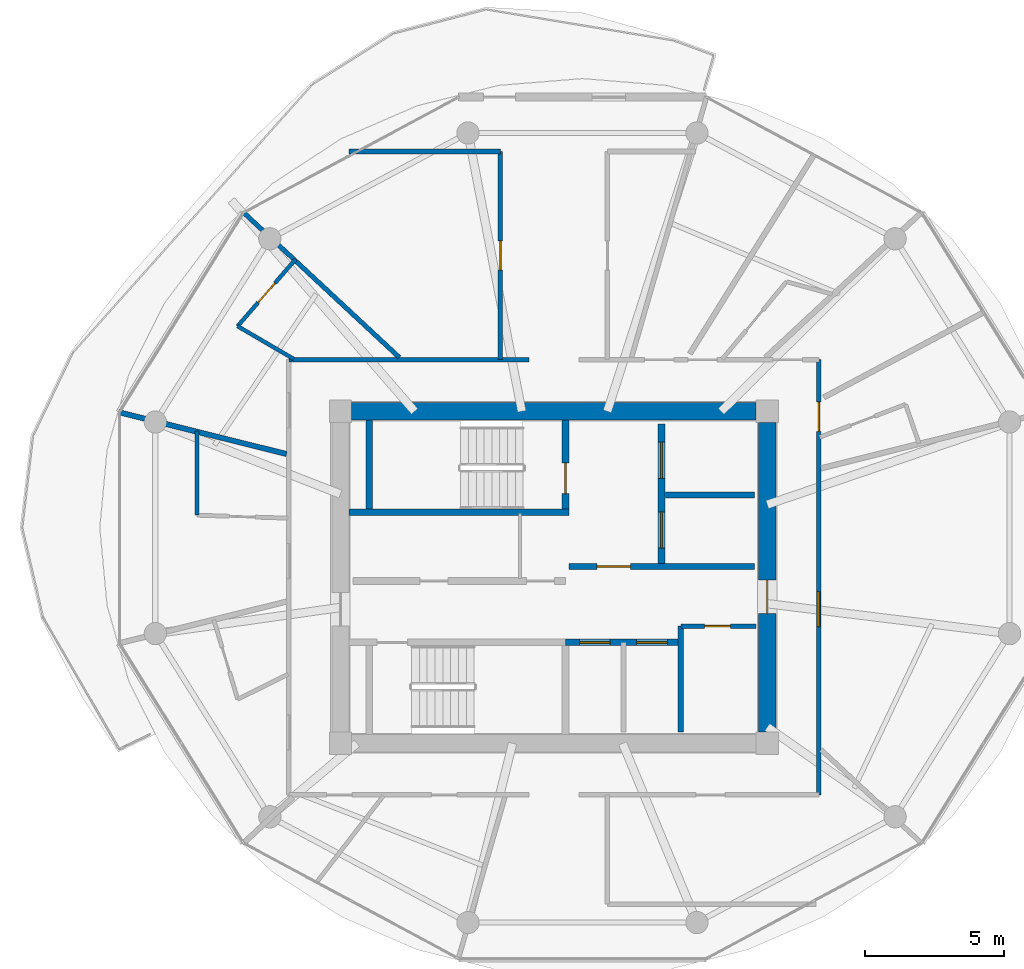
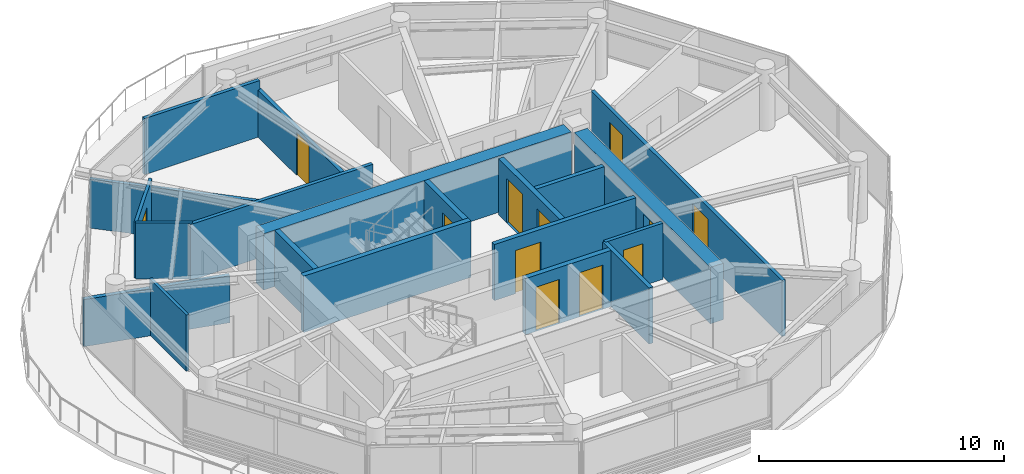
# One storey, part 14 of 24: 20 walls, 12 doors, 12 openings.
"""IFC4 building model written with IfcOpenShell, lengths in metres."""

from ifc_helpers import new_model, si_unit, direction, frame, frame_2d, origin, place, context, subcontext, project, spatial, rectangle, extrude, source, transform, mapped, material, layer, layer_set, type_object, type_shapes, element, fill, save


model = new_model("IFC4")

# Units and contexts
model_context = context("Model", 3, precision=1e-05, world=origin(), true_north=direction((0.0, 1.0)))
body_context = subcontext(model_context, "Body", "Model", "MODEL_VIEW")
ifc_project = project(units=[si_unit("LENGTHUNIT", "METRE"), si_unit("AREAUNIT", "SQUARE_METRE"), si_unit("VOLUMEUNIT", "CUBIC_METRE"), si_unit("PLANEANGLEUNIT", "RADIAN"), si_unit("MASSUNIT", "GRAM", prefix="KILO")], contexts=[model_context])

# Site, building, storey
site_placement = place(None, origin())
site = spatial("IfcSite", under=ifc_project, at=site_placement, CompositionType="ELEMENT")
building_placement = place(site_placement, origin())
building = spatial("IfcBuilding", under=site, at=building_placement, Name="Norrkilde Senior Care Towers", CompositionType="ELEMENT")
storey_placement = place(building_placement, frame((0.0, 0.0, 155.64990234375)))
storey = spatial("IfcBuildingStorey", under=building, at=storey_placement, Name="L48", CompositionType="ELEMENT", Elevation=155.64990234375)

# Wall
ifc_material_1 = material(Name="Concrete C50/60", Category="concrete")
ifc_layer_1 = layer(ifc_material_1, 0.6201171875)
ifc_layer_set_1 = layer_set([ifc_layer_1], Name="Concrete C50/60")
wall_type_1 = type_object("IfcWallType", Name="Core Shear Wall Z3 620", PredefinedType="SHEAR", material=ifc_layer_set_1)
shared_shape_1 = source(origin(), body_context, "Body", "SweptSolid", [
    extrude(rectangle(XDim=14.5, YDim=0.6201171875, at=frame_2d((7.25, 0.0))), origin(), (0.0, 0.0, 1.0), 2.81005859375),
])
wall_1_placement = place(storey_placement, frame((-35.25, 5.949951171875, 0.0), z_axis=(0.0, 0.0, 1.0), x_axis=(1.0, 0.0, 0.0)))
element("IfcWall", 1, at=wall_1_placement, inside=storey, type_object=wall_type_1, Name="L48 Core W North Shear Wall", PredefinedType="SHEAR", context=body_context, shape_type="MappedRepresentation", body=[
    mapped(shared_shape_1, transform((0.0, 0.0, 0.0), x_axis=(1.0, 0.0, 0.0), y_axis=(0.0, 1.0, 0.0), z_axis=(0.0, 0.0, 1.0), scale=1.0)),
])

# Wall, opening, door
shared_shape_2 = source(origin(), body_context, "Body", "SweptSolid", [
    extrude(rectangle(XDim=11.10009765625, YDim=0.6201171875, at=frame_2d((5.550048828125, 0.0))), origin(), (0.0, 0.0, 1.0), 2.81005859375),
])
type_shapes(wall_type_1, [shared_shape_1, shared_shape_2])
wall_2_placement = place(storey_placement, frame((-20.35009765625, 5.550048828125, 0.0), z_axis=(0.0, 0.0, 1.0), x_axis=(0.0, -1.0, 0.0)))
wall_2 = element("IfcWall", 2, at=wall_2_placement, inside=storey, type_object=wall_type_1, Name="L48 Core W East Shear Wall", PredefinedType="SHEAR", context=body_context, shape_type="MappedRepresentation", body=[
    mapped(shared_shape_2, transform((0.0, 0.0, 0.0), x_axis=(1.0, 0.0, 0.0), y_axis=(0.0, 1.0, 0.0), z_axis=(0.0, 0.0, 1.0), scale=1.0)),
])
opening_1_placement = place(wall_2_placement, frame((5.64990234375, 0.0, 0.0)))
opening_1 = element("IfcOpeningElement", 3, at=opening_1_placement, cuts=wall_2, Name="Opening D-04", PredefinedType="OPENING", context=body_context, shape_type="SweptSolid", body=[
    extrude(rectangle(XDim=1.199951171875, YDim=2.14990234375, at=frame_2d((0.60009765625, 1.074951171875))), frame((0.0, 0.320068359375, 0.0), z_axis=(0.0, -1.0, 0.0), x_axis=(1.0, 0.0, 0.0)), (0.0, 0.0, 1.0), 0.64013671875),
])
ifc_material_2 = material(Name="Galvanised Painted Steel", Category="steel")
door_type_1 = type_object("IfcDoorType", Name="Firefighting Lobby Fire Door 1200x2150", OperationType="NOTDEFINED", PredefinedType="DOOR", material=ifc_material_2)
shared_shape_3 = source(origin(), body_context, "Body", "SweptSolid", [
    extrude(rectangle(XDim=1.199951171875, YDim=2.14990234375, at=frame_2d((0.60009765625, 1.074951171875))), frame((0.0, 0.02490234375, 0.0), z_axis=(0.0, -1.0, 0.0), x_axis=(1.0, 0.0, 0.0)), (0.0, 0.0, 1.0), 0.050048828125),
])
type_shapes(door_type_1, [shared_shape_3])
door_1_placement = place(opening_1_placement, frame((1.199951171875, 0.0, 0.0), z_axis=(0.0, 0.0, 1.0), x_axis=(-1.0, 0.0, 0.0)))
door_1 = element("IfcDoor", 4, at=door_1_placement, inside=storey, type_object=door_type_1, Name="L48 Core W East Portal Door", OperationType="SINGLE_SWING_RIGHT", OverallHeight=2.14990234375, OverallWidth=1.199951171875, PredefinedType="DOOR", context=body_context, shape_type="MappedRepresentation", body=[
    mapped(shared_shape_3, transform((0.0, 0.0, 0.0), x_axis=(1.0, 0.0, 0.0), y_axis=(0.0, 1.0, 0.0), z_axis=(0.0, 0.0, 1.0), scale=1.0)),
])
fill(opening_1, door_1)

# Walls
ifc_material_3 = material(Name="Concrete C45/55", Category="concrete")
ifc_layer_2 = layer(ifc_material_3, 0.239990234375)
ifc_layer_set_2 = layer_set([ifc_layer_2], Name="Concrete C45/55")
wall_type_2 = type_object("IfcWallType", Name="Shaft and Stair Enclosure Wall 240", PredefinedType="PARTITIONING", material=ifc_layer_set_2)
shared_shape_4 = source(origin(), body_context, "Body", "SweptSolid", [
    extrude(rectangle(XDim=7.880126953125, YDim=0.239990234375, at=frame_2d((3.93994140625, 0.0))), origin(), (0.0, 0.0, 1.0), 2.81005859375),
])
wall_3_placement = place(storey_placement, frame((-35.340087890625, 2.330078125, 0.0), z_axis=(0.0, 0.0, 1.0), x_axis=(1.0, 0.0, 0.0)))
element("IfcWall", 5, at=wall_3_placement, inside=storey, type_object=wall_type_2, Name="WL-INT-L48-W-ST1S", PredefinedType="PARTITIONING", context=body_context, shape_type="MappedRepresentation", body=[
    mapped(shared_shape_4, transform((0.0, 0.0, 0.0), x_axis=(1.0, 0.0, 0.0), y_axis=(0.0, 1.0, 0.0), z_axis=(0.0, 0.0, 1.0), scale=1.0)),
])
shared_shape_5 = source(origin(), body_context, "Body", "SweptSolid", [
    extrude(rectangle(XDim=3.18994140625, YDim=0.239990234375, at=frame_2d((1.594970703125, 0.0))), origin(), (0.0, 0.0, 1.0), 2.81005859375),
])
type_shapes(wall_type_2, [shared_shape_4, shared_shape_5])
wall_4_placement = place(storey_placement, frame((-34.6201171875, 2.449951171875, 0.0), z_axis=(0.0, 0.0, 1.0), x_axis=(0.0, 1.0, 0.0)))
element("IfcWall", 6, at=wall_4_placement, inside=storey, type_object=wall_type_2, Name="WL-INT-L48-W-ST1W", PredefinedType="PARTITIONING", context=body_context, shape_type="MappedRepresentation", body=[
    mapped(shared_shape_5, transform((0.0, 0.0, 0.0), x_axis=(1.0, 0.0, 0.0), y_axis=(0.0, 1.0, 0.0), z_axis=(0.0, 0.0, 1.0), scale=1.0)),
])

# Wall, opening, door
wall_5_placement = place(storey_placement, frame((-27.580078125, 2.449951171875, 0.0), z_axis=(0.0, 0.0, 1.0), x_axis=(0.0, 1.0, 0.0)))
wall_5 = element("IfcWall", 7, at=wall_5_placement, inside=storey, type_object=wall_type_2, Name="WL-INT-L48-W-ST1E", PredefinedType="PARTITIONING", context=body_context, shape_type="MappedRepresentation", body=[
    mapped(shared_shape_5, transform((0.0, 0.0, 0.0), x_axis=(1.0, 0.0, 0.0), y_axis=(0.0, 1.0, 0.0), z_axis=(0.0, 0.0, 1.0), scale=1.0)),
])
opening_2_placement = place(wall_5_placement, frame((0.550048828125, 0.0, 0.0)))
opening_2 = element("IfcOpeningElement", 8, at=opening_2_placement, cuts=wall_5, Name="Opening D-03", PredefinedType="OPENING", context=body_context, shape_type="SweptSolid", body=[
    extrude(rectangle(XDim=1.10009765625, YDim=2.14990234375, at=frame_2d((0.550048828125, 1.074951171875))), frame((0.0, 0.1298828125, 0.0), z_axis=(0.0, -1.0, 0.0), x_axis=(1.0, 0.0, 0.0)), (0.0, 0.0, 1.0), 0.260009765625),
])
door_type_2 = type_object("IfcDoorType", Name="Stairwell Protected Fire Door 1100x2150", OperationType="NOTDEFINED", PredefinedType="DOOR", material=ifc_material_2)
shared_shape_6 = source(origin(), body_context, "Body", "SweptSolid", [
    extrude(rectangle(XDim=1.10009765625, YDim=2.14990234375, at=frame_2d((0.550048828125, 1.074951171875))), frame((0.0, 0.02490234375, 0.0), z_axis=(0.0, -1.0, 0.0), x_axis=(1.0, 0.0, 0.0)), (0.0, 0.0, 1.0), 0.050048828125),
])
type_shapes(door_type_2, [shared_shape_6])
door_2_placement = place(opening_2_placement, origin())
door_2 = element("IfcDoor", 9, at=door_2_placement, inside=storey, type_object=door_type_2, Name="L48 Stair W1 Fire Door", OperationType="SINGLE_SWING_LEFT", OverallHeight=2.14990234375, OverallWidth=1.10009765625, PredefinedType="DOOR", context=body_context, shape_type="MappedRepresentation", body=[
    mapped(shared_shape_6, transform((0.0, 0.0, 0.0), x_axis=(1.0, 0.0, 0.0), y_axis=(0.0, 1.0, 0.0), z_axis=(0.0, 0.0, 1.0), scale=1.0)),
])
fill(opening_2, door_2)

# Wall, openings, doors
ifc_layer_3 = layer(ifc_material_3, 0.239990234375)
ifc_layer_set_3 = layer_set([ifc_layer_3], Name="Concrete C45/55")
wall_type_3 = type_object("IfcWallType", Name="Lift and Plant Rated Enclosure Partition 240", PredefinedType="PARTITIONING", material=ifc_layer_set_3)
shared_shape_7 = source(origin(), body_context, "Body", "SweptSolid", [
    extrude(rectangle(XDim=5.0, YDim=0.239990234375, at=frame_2d((2.5, 0.0))), origin(), (0.0, 0.0, 1.0), 2.795166015625),
])
wall_6_placement = place(storey_placement, frame((-24.139892578125, 0.5, 0.0), z_axis=(0.0, 0.0, 1.0), x_axis=(0.0, 1.0, 0.0)))
wall_6 = element("IfcWall", 10, at=wall_6_placement, inside=storey, type_object=wall_type_3, Name="WL-INT-L48-W-FFLE", PredefinedType="PARTITIONING", context=body_context, shape_type="MappedRepresentation", body=[
    mapped(shared_shape_7, transform((0.0, 0.0, 0.0), x_axis=(1.0, 0.0, 0.0), y_axis=(0.0, 1.0, 0.0), z_axis=(0.0, 0.0, 1.0), scale=1.0)),
])
opening_3_placement = place(wall_6_placement, frame((3.050048828125, 0.0, 0.0)))
opening_3 = element("IfcOpeningElement", 11, at=opening_3_placement, cuts=wall_6, Name="Opening LD-02", PredefinedType="OPENING", context=body_context, shape_type="SweptSolid", body=[
    extrude(rectangle(XDim=1.300048828125, YDim=2.199951171875, at=frame_2d((0.64990234375, 1.10009765625))), frame((0.0, 0.1298828125, 0.0), z_axis=(0.0, -1.0, 0.0), x_axis=(1.0, 0.0, 0.0)), (0.0, 0.0, 1.0), 0.260009765625),
])
opening_4_placement = place(wall_6_placement, frame((0.550048828125, 0.0, 0.0)))
opening_4 = element("IfcOpeningElement", 12, at=opening_4_placement, cuts=wall_6, Name="Opening LD-02", PredefinedType="OPENING", context=body_context, shape_type="SweptSolid", body=[
    extrude(rectangle(XDim=1.300048828125, YDim=2.199951171875, at=frame_2d((0.64990234375, 1.10009765625))), frame((0.0, 0.1298828125, 0.0), z_axis=(0.0, -1.0, 0.0), x_axis=(1.0, 0.0, 0.0)), (0.0, 0.0, 1.0), 0.260009765625),
])
ifc_material_4 = material(Name="Stainless Steel", Category="steel")
door_type_3 = type_object("IfcDoorType", Name="Stretcher and FFL Landing Sliding Door 1300x2200", OperationType="NOTDEFINED", PredefinedType="DOOR", material=ifc_material_4)
shared_shape_8 = source(origin(), body_context, "Body", "SweptSolid", [
    extrude(rectangle(XDim=1.300048828125, YDim=2.199951171875, at=frame_2d((0.64990234375, 1.10009765625))), frame((0.0, 0.02490234375, 0.0), z_axis=(0.0, -1.0, 0.0), x_axis=(1.0, 0.0, 0.0)), (0.0, 0.0, 1.0), 0.050048828125),
])
type_shapes(door_type_3, [shared_shape_8])
door_3_placement = place(opening_3_placement, origin())
door_3 = element("IfcDoor", 13, at=door_3_placement, inside=storey, type_object=door_type_3, Name="L48 Firefighting Lift W1 Landing Door", OperationType="SLIDING_TO_LEFT", OverallHeight=2.199951171875, OverallWidth=1.300048828125, PredefinedType="DOOR", context=body_context, shape_type="MappedRepresentation", body=[
    mapped(shared_shape_8, transform((0.0, 0.0, 0.0), x_axis=(1.0, 0.0, 0.0), y_axis=(0.0, 1.0, 0.0), z_axis=(0.0, 0.0, 1.0), scale=1.0)),
])
fill(opening_3, door_3)
door_4_placement = place(opening_4_placement, origin())
door_4 = element("IfcDoor", 14, at=door_4_placement, inside=storey, type_object=door_type_3, Name="L48 Stretcher Lift W1 Landing Door", OperationType="SLIDING_TO_RIGHT", OverallHeight=2.199951171875, OverallWidth=1.300048828125, PredefinedType="DOOR", context=body_context, shape_type="MappedRepresentation", body=[
    mapped(shared_shape_8, transform((0.0, 0.0, 0.0), x_axis=(1.0, 0.0, 0.0), y_axis=(0.0, 1.0, 0.0), z_axis=(0.0, 0.0, 1.0), scale=1.0)),
])
fill(opening_4, door_4)

# Wall
ifc_layer_4 = layer(ifc_material_3, 0.199951171875)
ifc_layer_set_4 = layer_set([ifc_layer_4], Name="Concrete C45/55")
wall_type_4 = type_object("IfcWallType", Name="Shaft Division and Plant Partition 200", PredefinedType="PARTITIONING", material=ifc_layer_set_4)
shared_shape_9 = source(origin(), body_context, "Body", "SweptSolid", [
    extrude(rectangle(XDim=3.199951171875, YDim=0.199951171875, at=frame_2d((1.60009765625, 0.0))), origin(), (0.0, 0.0, 1.0), 2.795166015625),
])
wall_7_placement = place(storey_placement, frame((-24.0, 2.949951171875, 0.0), z_axis=(0.0, 0.0, 1.0), x_axis=(1.0, 0.0, 0.0)))
element("IfcWall", 15, at=wall_7_placement, inside=storey, type_object=wall_type_4, Name="WL-INT-L48-W-FFLDIV", PredefinedType="PARTITIONING", context=body_context, shape_type="MappedRepresentation", body=[
    mapped(shared_shape_9, transform((0.0, 0.0, 0.0), x_axis=(1.0, 0.0, 0.0), y_axis=(0.0, 1.0, 0.0), z_axis=(0.0, 0.0, 1.0), scale=1.0)),
])

# Wall, opening, door
ifc_layer_5 = layer(ifc_material_3, 0.2099609375)
ifc_layer_set_5 = layer_set([ifc_layer_5], Name="Concrete C45/55")
wall_type_5 = type_object("IfcWallType", Name="Firefighting Lobby Wall 210", PredefinedType="PARTITIONING", material=ifc_layer_set_5)
shared_shape_10 = source(origin(), body_context, "Body", "SweptSolid", [
    extrude(rectangle(XDim=6.659912109375, YDim=0.2099609375, at=frame_2d((3.330078125, 0.0))), origin(), (0.0, 0.0, 1.0), 2.795166015625),
])
type_shapes(wall_type_5, [shared_shape_10])
wall_8_placement = place(storey_placement, frame((-27.4599609375, 0.389892578125, 0.0), z_axis=(0.0, 0.0, 1.0), x_axis=(1.0, 0.0, 0.0)))
wall_8 = element("IfcWall", 16, at=wall_8_placement, inside=storey, type_object=wall_type_5, Name="WL-INT-L48-W-FFLS", PredefinedType="PARTITIONING", context=body_context, shape_type="MappedRepresentation", body=[
    mapped(shared_shape_10, transform((0.0, 0.0, 0.0), x_axis=(1.0, 0.0, 0.0), y_axis=(0.0, 1.0, 0.0), z_axis=(0.0, 0.0, 1.0), scale=1.0)),
])
opening_5_placement = place(wall_8_placement, frame((1.0, 0.0, 0.0)))
opening_5 = element("IfcOpeningElement", 17, at=opening_5_placement, cuts=wall_8, Name="Opening D-04", PredefinedType="OPENING", context=body_context, shape_type="SweptSolid", body=[
    extrude(rectangle(XDim=1.199951171875, YDim=2.14990234375, at=frame_2d((0.60009765625, 1.074951171875))), frame((0.0, 0.114990234375, 0.0), z_axis=(0.0, -1.0, 0.0), x_axis=(1.0, 0.0, 0.0)), (0.0, 0.0, 1.0), 0.22998046875),
])
door_5_placement = place(opening_5_placement, frame((1.199951171875, 0.0, 0.0), z_axis=(0.0, 0.0, 1.0), x_axis=(-1.0, 0.0, 0.0)))
door_5 = element("IfcDoor", 18, at=door_5_placement, inside=storey, type_object=door_type_1, Name="L48 Firefighting Lobby W Door", OperationType="SINGLE_SWING_LEFT", OverallHeight=2.14990234375, OverallWidth=1.199951171875, PredefinedType="DOOR", context=body_context, shape_type="MappedRepresentation", body=[
    mapped(shared_shape_3, transform((0.0, 0.0, 0.0), x_axis=(1.0, 0.0, 0.0), y_axis=(0.0, 1.0, 0.0), z_axis=(0.0, 0.0, 1.0), scale=1.0)),
])
fill(opening_5, door_5)

# Wall
shared_shape_11 = source(origin(), body_context, "Body", "SweptSolid", [
    extrude(rectangle(XDim=3.800048828125, YDim=0.199951171875, at=frame_2d((1.89990234375, 0.0))), origin(), (0.0, 0.0, 1.0), 2.795166015625),
])
type_shapes(wall_type_4, [shared_shape_9, shared_shape_11])
wall_9_placement = place(storey_placement, frame((-23.449951171875, -5.550048828125, 0.0), z_axis=(0.0, 0.0, 1.0), x_axis=(0.0, 1.0, 0.0)))
element("IfcWall", 19, at=wall_9_placement, inside=storey, type_object=wall_type_4, Name="WL-INT-L48-W-PKBE", PredefinedType="PARTITIONING", context=body_context, shape_type="MappedRepresentation", body=[
    mapped(shared_shape_11, transform((0.0, 0.0, 0.0), x_axis=(1.0, 0.0, 0.0), y_axis=(0.0, 1.0, 0.0), z_axis=(0.0, 0.0, 1.0), scale=1.0)),
])

# Wall, openings, doors
shared_shape_12 = source(origin(), body_context, "Body", "SweptSolid", [
    extrude(rectangle(XDim=4.130126953125, YDim=0.239990234375, at=frame_2d((2.06494140625, 0.0))), origin(), (0.0, 0.0, 1.0), 2.795166015625),
])
type_shapes(wall_type_3, [shared_shape_7, shared_shape_12])
wall_10_placement = place(storey_placement, frame((-27.580078125, -2.330078125, 0.0), z_axis=(0.0, 0.0, 1.0), x_axis=(1.0, 0.0, 0.0)))
wall_10 = element("IfcWall", 20, at=wall_10_placement, inside=storey, type_object=wall_type_3, Name="WL-INT-L48-W-PKBN", PredefinedType="PARTITIONING", context=body_context, shape_type="MappedRepresentation", body=[
    mapped(shared_shape_12, transform((0.0, 0.0, 0.0), x_axis=(1.0, 0.0, 0.0), y_axis=(0.0, 1.0, 0.0), z_axis=(0.0, 0.0, 1.0), scale=1.0)),
])
opening_6_placement = place(wall_10_placement, frame((0.5, 0.0, 0.0)))
opening_6 = element("IfcOpeningElement", 21, at=opening_6_placement, cuts=wall_10, Name="Opening LD-01", PredefinedType="OPENING", context=body_context, shape_type="SweptSolid", body=[
    extrude(rectangle(XDim=1.10009765625, YDim=2.199951171875, at=frame_2d((0.550048828125, 1.10009765625))), frame((0.0, 0.1298828125, 0.0), z_axis=(0.0, -1.0, 0.0), x_axis=(1.0, 0.0, 0.0)), (0.0, 0.0, 1.0), 0.260009765625),
])
opening_7_placement = place(wall_10_placement, frame((2.550048828125, 0.0, 0.0)))
opening_7 = element("IfcOpeningElement", 22, at=opening_7_placement, cuts=wall_10, Name="Opening LD-01", PredefinedType="OPENING", context=body_context, shape_type="SweptSolid", body=[
    extrude(rectangle(XDim=1.10009765625, YDim=2.199951171875, at=frame_2d((0.550048828125, 1.10009765625))), frame((0.0, 0.1298828125, 0.0), z_axis=(0.0, -1.0, 0.0), x_axis=(1.0, 0.0, 0.0)), (0.0, 0.0, 1.0), 0.260009765625),
])
door_type_4 = type_object("IfcDoorType", Name="Lift Landing Sliding Door 1100x2200", OperationType="NOTDEFINED", PredefinedType="DOOR", material=ifc_material_4)
shared_shape_13 = source(origin(), body_context, "Body", "SweptSolid", [
    extrude(rectangle(XDim=1.10009765625, YDim=2.199951171875, at=frame_2d((0.550048828125, 1.10009765625))), frame((0.0, 0.02490234375, 0.0), z_axis=(0.0, -1.0, 0.0), x_axis=(1.0, 0.0, 0.0)), (0.0, 0.0, 1.0), 0.050048828125),
])
type_shapes(door_type_4, [shared_shape_13])
door_6_placement = place(opening_6_placement, frame((1.10009765625, 0.0, 0.0), z_axis=(0.0, 0.0, 1.0), x_axis=(-1.0, 0.0, 0.0)))
door_6 = element("IfcDoor", 23, at=door_6_placement, inside=storey, type_object=door_type_4, Name="L48 Passenger Lift W3 Landing Door", OperationType="SLIDING_TO_LEFT", OverallHeight=2.199951171875, OverallWidth=1.10009765625, PredefinedType="DOOR", context=body_context, shape_type="MappedRepresentation", body=[
    mapped(shared_shape_13, transform((0.0, 0.0, 0.0), x_axis=(1.0, 0.0, 0.0), y_axis=(0.0, 1.0, 0.0), z_axis=(0.0, 0.0, 1.0), scale=1.0)),
])
fill(opening_6, door_6)
door_7_placement = place(opening_7_placement, frame((1.10009765625, 0.0, 0.0), z_axis=(0.0, 0.0, 1.0), x_axis=(-1.0, 0.0, 0.0)))
door_7 = element("IfcDoor", 24, at=door_7_placement, inside=storey, type_object=door_type_4, Name="L48 Passenger Lift W4 Landing Door", OperationType="SLIDING_TO_RIGHT", OverallHeight=2.199951171875, OverallWidth=1.10009765625, PredefinedType="DOOR", context=body_context, shape_type="MappedRepresentation", body=[
    mapped(shared_shape_13, transform((0.0, 0.0, 0.0), x_axis=(1.0, 0.0, 0.0), y_axis=(0.0, 1.0, 0.0), z_axis=(0.0, 0.0, 1.0), scale=1.0)),
])
fill(opening_7, door_7)

# Wall, opening, door
ifc_material_5 = material(Name="Gypsum Acoustic Board")
ifc_layer_6 = layer(ifc_material_5, 0.1650390625)
ifc_layer_set_6 = layer_set([ifc_layer_6], Name="Gypsum Acoustic Board")
wall_type_6 = type_object("IfcWallType", Name="Corridor Rated Partition 165", PredefinedType="PARTITIONING", material=ifc_layer_set_6)
shared_shape_14 = source(origin(), body_context, "Body", "SweptSolid", [
    extrude(rectangle(XDim=2.699951171875, YDim=0.1650390625, at=frame_2d((1.35009765625, 0.0))), origin(), (0.0, 0.0, 1.0), 2.795166015625),
])
wall_11_placement = place(storey_placement, frame((-23.449951171875, -1.75, 0.0), z_axis=(0.0, 0.0, 1.0), x_axis=(1.0, 0.0, 0.0)))
wall_11 = element("IfcWall", 25, at=wall_11_placement, inside=storey, type_object=wall_type_6, Name="WL-INT-L48-W-CSN", PredefinedType="PARTITIONING", context=body_context, shape_type="MappedRepresentation", body=[
    mapped(shared_shape_14, transform((0.0, 0.0, 0.0), x_axis=(1.0, 0.0, 0.0), y_axis=(0.0, 1.0, 0.0), z_axis=(0.0, 0.0, 1.0), scale=1.0)),
])
opening_8_placement = place(wall_11_placement, frame((0.85009765625, 0.0, 0.0)))
opening_8 = element("IfcOpeningElement", 26, at=opening_8_placement, cuts=wall_11, Name="Opening D-12", PredefinedType="OPENING", context=body_context, shape_type="SweptSolid", body=[
    extrude(rectangle(XDim=0.925048828125, YDim=2.10009765625, at=frame_2d((0.46240234375, 1.050048828125))), frame((0.0, 0.092529296875, 0.0), z_axis=(0.0, -1.0, 0.0), x_axis=(1.0, 0.0, 0.0)), (0.0, 0.0, 1.0), 0.18505859375),
])
door_type_5 = type_object("IfcDoorType", Name="Core Wet Room Rated Door 925x2100", OperationType="NOTDEFINED", PredefinedType="DOOR", material=ifc_material_2)
shared_shape_15 = source(origin(), body_context, "Body", "SweptSolid", [
    extrude(rectangle(XDim=0.925048828125, YDim=2.10009765625, at=frame_2d((0.46240234375, 1.050048828125))), frame((0.0, 0.02490234375, 0.0), z_axis=(0.0, -1.0, 0.0), x_axis=(1.0, 0.0, 0.0)), (0.0, 0.0, 1.0), 0.050048828125),
])
type_shapes(door_type_5, [shared_shape_15])
door_8_placement = place(opening_8_placement, origin())
door_8 = element("IfcDoor", 27, at=door_8_placement, inside=storey, type_object=door_type_5, Name="L48 Core Utility W Door", OperationType="SINGLE_SWING_LEFT", OverallHeight=2.10009765625, OverallWidth=0.925048828125, PredefinedType="DOOR", context=body_context, shape_type="MappedRepresentation", body=[
    mapped(shared_shape_15, transform((0.0, 0.0, 0.0), x_axis=(1.0, 0.0, 0.0), y_axis=(0.0, 1.0, 0.0), z_axis=(0.0, 0.0, 1.0), scale=1.0)),
])
fill(opening_8, door_8)

# Wall
shared_shape_16 = source(origin(), body_context, "Body", "SweptSolid", [
    extrude(rectangle(XDim=8.60009765625, YDim=0.1650390625, at=frame_2d((4.300048828125, 0.0))), origin(), (0.0, 0.0, 1.0), 2.795166015625),
])
wall_12_placement = place(storey_placement, frame((-37.5, 7.800048828125, 0.0), z_axis=(0.0, 0.0, 1.0), x_axis=(1.0, 0.0, 0.0)))
element("IfcWall", 28, at=wall_12_placement, inside=storey, type_object=wall_type_6, Name="WL-INT-L48-W-CRW-N-0", PredefinedType="PARTITIONING", context=body_context, shape_type="MappedRepresentation", body=[
    mapped(shared_shape_16, transform((0.0, 0.0, 0.0), x_axis=(1.0, 0.0, 0.0), y_axis=(0.0, 1.0, 0.0), z_axis=(0.0, 0.0, 1.0), scale=1.0)),
])

# Wall, openings, doors
shared_shape_17 = source(origin(), body_context, "Body", "SweptSolid", [
    extrude(rectangle(XDim=15.60009765625, YDim=0.1650390625, at=frame_2d((7.800048828125, 0.0))), origin(), (0.0, 0.0, 1.0), 2.795166015625),
])
wall_13_placement = place(storey_placement, frame((-18.5, 7.800048828125, 0.0), z_axis=(0.0, 0.0, 1.0), x_axis=(0.0, -1.0, 0.0)))
wall_13 = element("IfcWall", 29, at=wall_13_placement, inside=storey, type_object=wall_type_6, Name="WL-INT-L48-W-CRW-E-0", PredefinedType="PARTITIONING", context=body_context, shape_type="MappedRepresentation", body=[
    mapped(shared_shape_17, transform((0.0, 0.0, 0.0), x_axis=(1.0, 0.0, 0.0), y_axis=(0.0, 1.0, 0.0), z_axis=(0.0, 0.0, 1.0), scale=1.0)),
])
opening_9_placement = place(wall_13_placement, frame((8.31396484375, 0.0, 0.0)))
opening_9 = element("IfcOpeningElement", 30, at=opening_9_placement, cuts=wall_13, Name="Opening D-05", PredefinedType="OPENING", context=body_context, shape_type="SweptSolid", body=[
    extrude(rectangle(XDim=1.25, YDim=2.199951171875, at=frame_2d((0.625, 1.10009765625))), frame((0.0, 0.092529296875, 0.0), z_axis=(0.0, -1.0, 0.0), x_axis=(1.0, 0.0, 0.0)), (0.0, 0.0, 1.0), 0.18505859375),
])
opening_10_placement = place(wall_13_placement, frame((1.514892578125, 0.0, 0.0)))
opening_10 = element("IfcOpeningElement", 31, at=opening_10_placement, cuts=wall_13, Name="Opening D-06", PredefinedType="OPENING", context=body_context, shape_type="SweptSolid", body=[
    extrude(rectangle(XDim=1.050048828125, YDim=2.14990234375, at=frame_2d((0.52490234375, 1.074951171875))), frame((0.0, 0.092529296875, 0.0), z_axis=(0.0, -1.0, 0.0), x_axis=(1.0, 0.0, 0.0)), (0.0, 0.0, 1.0), 0.18505859375),
])
ifc_material_6 = material(Name="Nordic Ash Timber", Category="wood")
door_type_6 = type_object("IfcDoorType", Name="Care Bedroom Bariatric Door 1250x2200", OperationType="NOTDEFINED", PredefinedType="DOOR", material=ifc_material_6)
shared_shape_18 = source(origin(), body_context, "Body", "SweptSolid", [
    extrude(rectangle(XDim=1.25, YDim=2.199951171875, at=frame_2d((0.625, 1.10009765625))), frame((0.0, 0.02490234375, 0.0), z_axis=(0.0, -1.0, 0.0), x_axis=(1.0, 0.0, 0.0)), (0.0, 0.0, 1.0), 0.050048828125),
])
type_shapes(door_type_6, [shared_shape_18])
door_9_placement = place(opening_9_placement, frame((1.25, 0.0, 0.0), z_axis=(0.0, 0.0, 1.0), x_axis=(-1.0, 0.0, 0.0)))
door_9 = element("IfcDoor", 32, at=door_9_placement, inside=storey, type_object=door_type_6, Name="L48 Resident Family Conference Room Door", OperationType="SINGLE_SWING_LEFT", OverallHeight=2.199951171875, OverallWidth=1.25, PredefinedType="DOOR", context=body_context, shape_type="MappedRepresentation", body=[
    mapped(shared_shape_18, transform((0.0, 0.0, 0.0), x_axis=(1.0, 0.0, 0.0), y_axis=(0.0, 1.0, 0.0), z_axis=(0.0, 0.0, 1.0), scale=1.0)),
])
fill(opening_9, door_9)
door_type_7 = type_object("IfcDoorType", Name="Apartment Entrance Fire Door 1050x2150", OperationType="NOTDEFINED", PredefinedType="DOOR", material=ifc_material_6)
shared_shape_19 = source(origin(), body_context, "Body", "SweptSolid", [
    extrude(rectangle(XDim=1.050048828125, YDim=2.14990234375, at=frame_2d((0.52490234375, 1.074951171875))), frame((0.0, 0.02490234375, 0.0), z_axis=(0.0, -1.0, 0.0), x_axis=(1.0, 0.0, 0.0)), (0.0, 0.0, 1.0), 0.050048828125),
])
type_shapes(door_type_7, [shared_shape_19])
door_10_placement = place(opening_10_placement, frame((1.050048828125, 0.0, 0.0), z_axis=(0.0, 0.0, 1.0), x_axis=(-1.0, 0.0, 0.0)))
door_10 = element("IfcDoor", 33, at=door_10_placement, inside=storey, type_object=door_type_7, Name="L48 Care Suite 4800A Entrance Door", OperationType="SINGLE_SWING_RIGHT", OverallHeight=2.14990234375, OverallWidth=1.050048828125, PredefinedType="DOOR", context=body_context, shape_type="MappedRepresentation", body=[
    mapped(shared_shape_19, transform((0.0, 0.0, 0.0), x_axis=(1.0, 0.0, 0.0), y_axis=(0.0, 1.0, 0.0), z_axis=(0.0, 0.0, 1.0), scale=1.0)),
])
fill(opening_10, door_10)

# Walls
ifc_layer_7 = layer(ifc_material_5, 0.18994140625)
ifc_layer_set_7 = layer_set([ifc_layer_7], Name="Gypsum Acoustic Board")
wall_type_7 = type_object("IfcWallType", Name="Unit Demising Acoustic Wall 190", PredefinedType="PARTITIONING", material=ifc_layer_set_7)
shared_shape_20 = source(origin(), body_context, "Body", "SweptSolid", [
    extrude(rectangle(XDim=6.192626953125, YDim=0.18994140625, at=frame_2d((3.09619140625, 0.0))), origin(), (0.0, 0.0, 1.0), 2.34521484375),
])
type_shapes(wall_type_7, [shared_shape_20])
wall_14_placement = place(storey_placement, frame((-37.580078125, 4.418701171875, 0.0), z_axis=(0.0, 0.0, 1.0), x_axis=(-0.970309243466, 0.241867674657, 0.0)))
element("IfcWall", 34, at=wall_14_placement, inside=storey, type_object=wall_type_7, Name="WL-INT-L48-W-DEM-05-0", PredefinedType="PARTITIONING", context=body_context, shape_type="MappedRepresentation", body=[
    mapped(shared_shape_20, transform((0.0, 0.0, 0.0), x_axis=(1.0, 0.0, 0.0), y_axis=(0.0, 1.0, 0.0), z_axis=(0.0, 0.0, 1.0), scale=1.0)),
])
shared_shape_21 = source(origin(), body_context, "Body", "SweptSolid", [
    extrude(rectangle(XDim=7.64794921875, YDim=0.1650390625, at=frame_2d((3.823974609375, 0.0))), origin(), (0.0, 0.0, 1.0), 2.43505859375),
])
wall_15_placement = place(storey_placement, frame((-33.53759765625, 7.8798828125, 0.0), z_axis=(0.0, 0.0, 1.0), x_axis=(-0.732167856666, 0.681124239522, 0.0)))
element("IfcWall", 35, at=wall_15_placement, inside=storey, type_object=wall_type_6, Name="WL-INT-L48-W-DEM-04-0", PredefinedType="PARTITIONING", context=body_context, shape_type="MappedRepresentation", body=[
    mapped(shared_shape_21, transform((0.0, 0.0, 0.0), x_axis=(1.0, 0.0, 0.0), y_axis=(0.0, 1.0, 0.0), z_axis=(0.0, 0.0, 1.0), scale=1.0)),
])

# Wall, opening, door
shared_shape_22 = source(origin(), body_context, "Body", "SweptSolid", [
    extrude(rectangle(XDim=7.46533203125, YDim=0.1650390625, at=frame_2d((3.732666015625, 0.0))), origin(), (0.0, 0.0, 1.0), 2.34521484375),
])
wall_16_placement = place(storey_placement, frame((-29.919921875, 7.800048828125, 0.0), z_axis=(0.0, 0.0, 1.0), x_axis=(0.0, 1.0, 0.0)))
wall_16 = element("IfcWall", 36, at=wall_16_placement, inside=storey, type_object=wall_type_6, Name="WL-INT-L48-W-PKW-NWL", PredefinedType="PARTITIONING", context=body_context, shape_type="MappedRepresentation", body=[
    mapped(shared_shape_22, transform((0.0, 0.0, 0.0), x_axis=(1.0, 0.0, 0.0), y_axis=(0.0, 1.0, 0.0), z_axis=(0.0, 0.0, 1.0), scale=1.0)),
])
opening_11_placement = place(wall_16_placement, frame((3.207763671875, 0.0, 0.0)))
opening_11 = element("IfcOpeningElement", 37, at=opening_11_placement, cuts=wall_16, Name="Opening D-06", PredefinedType="OPENING", context=body_context, shape_type="SweptSolid", body=[
    extrude(rectangle(XDim=1.050048828125, YDim=2.14990234375, at=frame_2d((0.52490234375, 1.074951171875))), frame((0.0, 0.092529296875, 0.0), z_axis=(0.0, -1.0, 0.0), x_axis=(1.0, 0.0, 0.0)), (0.0, 0.0, 1.0), 0.18505859375),
])
door_11_placement = place(opening_11_placement, frame((1.050048828125, 0.0, 0.0), z_axis=(0.0, 0.0, 1.0), x_axis=(-1.0, 0.0, 0.0)))
door_11 = element("IfcDoor", 38, at=door_11_placement, inside=storey, type_object=door_type_7, Name="L48 Reading Lounge NWL Door", OperationType="SINGLE_SWING_RIGHT", OverallHeight=2.14990234375, OverallWidth=1.050048828125, PredefinedType="DOOR", context=body_context, shape_type="MappedRepresentation", body=[
    mapped(shared_shape_19, transform((0.0, 0.0, 0.0), x_axis=(1.0, 0.0, 0.0), y_axis=(0.0, 1.0, 0.0), z_axis=(0.0, 0.0, 1.0), scale=1.0)),
])
fill(opening_11, door_11)

# Walls
shared_shape_23 = source(origin(), body_context, "Body", "SweptSolid", [
    extrude(rectangle(XDim=5.423095703125, YDim=0.1650390625, at=frame_2d((2.71142578125, 0.0))), origin(), (0.0, 0.0, 1.0), 2.795166015625),
])
type_shapes(wall_type_6, [shared_shape_14, shared_shape_16, shared_shape_17, shared_shape_21, shared_shape_22, shared_shape_23])
wall_17_placement = place(storey_placement, frame((-35.343017578125, 15.265380859375, 0.0), z_axis=(0.0, 0.0, 1.0), x_axis=(1.0, 0.0, 0.0)))
element("IfcWall", 39, at=wall_17_placement, inside=storey, type_object=wall_type_6, Name="WL-INT-L48-W-PKH-NWL-0", PredefinedType="PARTITIONING", context=body_context, shape_type="MappedRepresentation", body=[
    mapped(shared_shape_23, transform((0.0, 0.0, 0.0), x_axis=(1.0, 0.0, 0.0), y_axis=(0.0, 1.0, 0.0), z_axis=(0.0, 0.0, 1.0), scale=1.0)),
])
ifc_layer_8 = layer(ifc_material_5, 0.139892578125)
ifc_layer_set_8 = layer_set([ifc_layer_8], Name="Gypsum Acoustic Board")
wall_type_8 = type_object("IfcWallType", Name="En-suite Wet Room Wall 140", PredefinedType="PARTITIONING", material=ifc_layer_set_8)
shared_shape_24 = source(origin(), body_context, "Body", "SweptSolid", [
    extrude(rectangle(XDim=2.32275390625, YDim=0.139892578125, at=frame_2d((1.161376953125, 0.0))), origin(), (0.0, 0.0, 1.0), 2.795166015625),
])
wall_18_placement = place(storey_placement, frame((-37.3310546875, 7.830078125, 0.0), z_axis=(0.0, 0.0, 1.0), x_axis=(-0.863343994595, 0.504615841009, 0.0)))
element("IfcWall", 40, at=wall_18_placement, inside=storey, type_object=wall_type_8, Name="WL-INT-L48-W-ES-04", PredefinedType="PARTITIONING", context=body_context, shape_type="MappedRepresentation", body=[
    mapped(shared_shape_24, transform((0.0, 0.0, 0.0), x_axis=(1.0, 0.0, 0.0), y_axis=(0.0, 1.0, 0.0), z_axis=(0.0, 0.0, 1.0), scale=1.0)),
])

# Wall, opening, door
shared_shape_25 = source(origin(), body_context, "Body", "SweptSolid", [
    extrude(rectangle(XDim=3.170654296875, YDim=0.139892578125, at=frame_2d((1.58544921875, 0.0))), origin(), (0.0, 0.0, 1.0), 2.795166015625),
])
wall_19_placement = place(storey_placement, frame((-39.33642578125, 9.002197265625, 0.0), z_axis=(0.0, 0.0, 1.0), x_axis=(0.654953989592, 0.755668757801, 0.0)))
wall_19 = element("IfcWall", 41, at=wall_19_placement, inside=storey, type_object=wall_type_8, Name="WL-INT-L48-W-EF-04", PredefinedType="PARTITIONING", context=body_context, shape_type="MappedRepresentation", body=[
    mapped(shared_shape_25, transform((0.0, 0.0, 0.0), x_axis=(1.0, 0.0, 0.0), y_axis=(0.0, 1.0, 0.0), z_axis=(0.0, 0.0, 1.0), scale=1.0)),
])
opening_12_placement = place(wall_19_placement, frame((1.125244140625, 0.0, 0.0)))
opening_12 = element("IfcOpeningElement", 42, at=opening_12_placement, cuts=wall_19, Name="Opening D-08", PredefinedType="OPENING", context=body_context, shape_type="SweptSolid", body=[
    extrude(rectangle(XDim=0.919921875, YDim=2.10009765625, at=frame_2d((0.4599609375, 1.050048828125))), frame((0.0, 0.079833984375, 0.0), z_axis=(0.0, -1.0, 0.0), x_axis=(1.0, 0.0, 0.0)), (0.0, 0.0, 1.0), 0.159912109375),
])
door_type_8 = type_object("IfcDoorType", Name="Accessible Wet Room Door 920x2100", OperationType="NOTDEFINED", PredefinedType="DOOR", material=ifc_material_6)
shared_shape_26 = source(origin(), body_context, "Body", "SweptSolid", [
    extrude(rectangle(XDim=0.919921875, YDim=2.10009765625, at=frame_2d((0.4599609375, 1.050048828125))), frame((0.0, 0.02490234375, 0.0), z_axis=(0.0, -1.0, 0.0), x_axis=(1.0, 0.0, 0.0)), (0.0, 0.0, 1.0), 0.050048828125),
])
type_shapes(door_type_8, [shared_shape_26])
door_12_placement = place(opening_12_placement, origin())
door_12 = element("IfcDoor", 43, at=door_12_placement, inside=storey, type_object=door_type_8, Name="L48 Care Suite 4804 Bathroom Door", OperationType="SINGLE_SWING_RIGHT", OverallHeight=2.10009765625, OverallWidth=0.919921875, PredefinedType="DOOR", context=body_context, shape_type="MappedRepresentation", body=[
    mapped(shared_shape_26, transform((0.0, 0.0, 0.0), x_axis=(1.0, 0.0, 0.0), y_axis=(0.0, 1.0, 0.0), z_axis=(0.0, 0.0, 1.0), scale=1.0)),
])
fill(opening_12, door_12)

# Wall
shared_shape_27 = source(origin(), body_context, "Body", "SweptSolid", [
    extrude(rectangle(XDim=3.011962890625, YDim=0.139892578125, at=frame_2d((1.505859375, 0.0))), origin(), (0.0, 0.0, 1.0), 2.795166015625),
])
type_shapes(wall_type_8, [shared_shape_24, shared_shape_25, shared_shape_27])
wall_20_placement = place(storey_placement, frame((-40.797607421875, 2.22705078125, 0.0), z_axis=(0.0, 0.0, 1.0), x_axis=(0.00226958968, 0.999997424478, 0.0)))
element("IfcWall", 44, at=wall_20_placement, inside=storey, type_object=wall_type_8, Name="WL-INT-L48-W-EF-05", PredefinedType="PARTITIONING", context=body_context, shape_type="MappedRepresentation", body=[
    mapped(shared_shape_27, transform((0.0, 0.0, 0.0), x_axis=(1.0, 0.0, 0.0), y_axis=(0.0, 1.0, 0.0), z_axis=(0.0, 0.0, 1.0), scale=1.0)),
])

save(model, "model.ifc")
